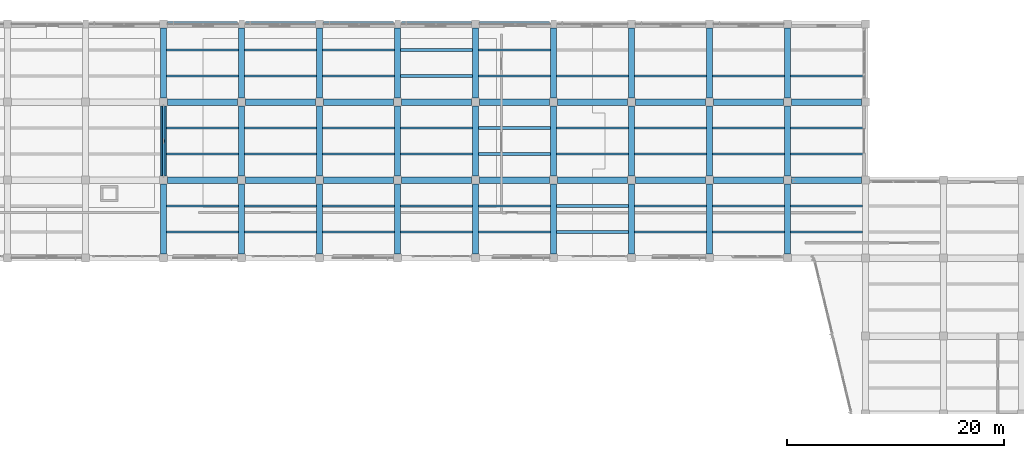
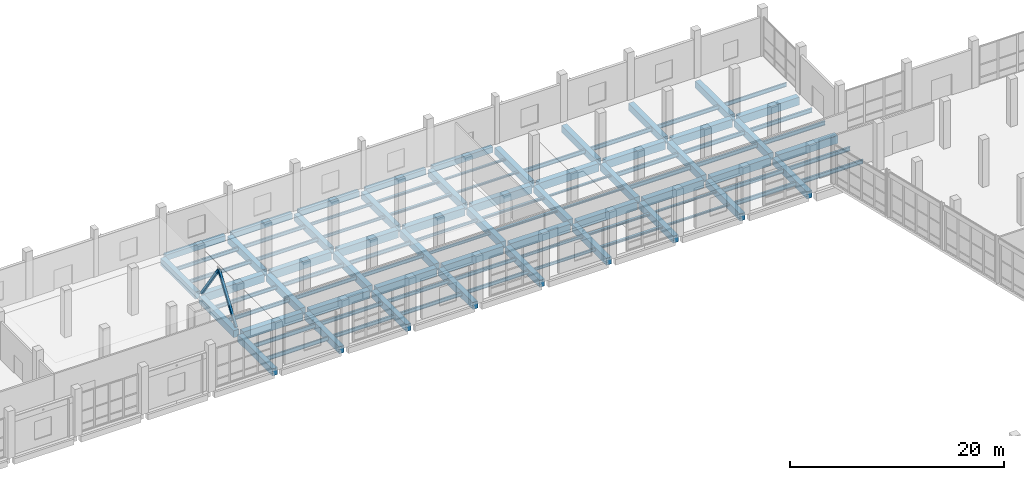
# One storey, part 60 of 137: 100 beams, 2 members.
"""IFC4 building model written with IfcOpenShell, lengths in metres."""

import ifcopenshell
import ifcopenshell.guid

model = None  # the IFC model being written
_history = None  # IfcOwnerHistory: only IFC2X3 demands one
_inside = {}  # id of a spatial element -> (the spatial element, [elements in it])
_under = {}  # id of a project, library or spatial element -> (it, [spatial elements below it])
_declared = {}  # id of a project -> (the project, [libraries it declares])
_typed = {}  # id of a type object -> (the type object, [elements of that type])
_made_of = {}  # id of a material, layer set ... -> (it, [elements and type objects made of it])


def new_model(schema):
    """Start an empty IFC model of exactly this schema.

    Asked for "IFC4X3", IfcOpenShell would pick the latest addendum, in which some entities
    have other attributes; the version numbers below select the first issue.
    IFC2X3 requires an IfcOwnerHistory on every rooted entity: one is made here for all.
    """
    global model, _history
    if schema == "IFC4X3":
        model = ifcopenshell.file(schema_version=(4, 3, 0, 0))
    else:
        model = ifcopenshell.file(schema=schema)
    _inside.clear()
    _under.clear()
    _declared.clear()
    _typed.clear()
    _made_of.clear()
    _history = None
    if model.schema == "IFC2X3":
        org = make("IfcOrganization", Name="unknown")
        user = make(
            "IfcPersonAndOrganization",
            ThePerson=make("IfcPerson", FamilyName="unknown"),
            TheOrganization=org,
        )
        app = make(
            "IfcApplication",
            ApplicationDeveloper=org,
            Version="unknown",
            ApplicationFullName="unknown",
            ApplicationIdentifier="unknown",
        )
        _history = make(
            "IfcOwnerHistory",
            OwningUser=user,
            OwningApplication=app,
            ChangeAction="ADDED",
            CreationDate=0,
        )
    return model


def make(cls, **values):
    """One entity of the class cls with the attributes given. An attribute that is None is left unset."""
    return model.create_entity(
        cls, **{name: value for name, value in values.items() if value is not None}
    )


def rooted(cls, **values):
    """An entity with a GlobalId (a new one), such as an element, a storey or a relation."""
    return make(cls, GlobalId=ifcopenshell.guid.new(), OwnerHistory=_history, **values)


def si_unit(unit_type, name, prefix=None):
    """IfcSIUnit, for example si_unit("LENGTHUNIT", "METRE", prefix="MILLI")."""
    return make("IfcSIUnit", UnitType=unit_type, Prefix=prefix, Name=name)


def assignment(units):
    """IfcUnitAssignment: the units of a project."""
    return None if units is None else make("IfcUnitAssignment", Units=units)


def point(xyz):
    """IfcCartesianPoint."""
    return None if xyz is None else make("IfcCartesianPoint", Coordinates=xyz)


def direction(xyz):
    """IfcDirection."""
    return None if xyz is None else make("IfcDirection", DirectionRatios=xyz)


def frame(location, z_axis=None, x_axis=None):
    """IfcAxis2Placement3D, a coordinate frame: its origin and axes. An axis left out is left unset."""
    return make(
        "IfcAxis2Placement3D",
        Location=point(location),
        Axis=direction(z_axis),
        RefDirection=direction(x_axis),
    )


def frame_2d(location, x_axis=None):
    """IfcAxis2Placement2D, a coordinate frame in the plane: its origin and x axis."""
    return make(
        "IfcAxis2Placement2D", Location=point(location), RefDirection=direction(x_axis)
    )


def origin():
    """The frame at (0, 0, 0) with its axes left unset."""
    return frame((0.0, 0.0, 0.0))


def origin_2d():
    """The frame at (0, 0) in the plane with its x axis left unset."""
    return frame_2d((0.0, 0.0))


def place(relative_to, where):
    """IfcLocalPlacement: puts the frame where relative to a parent placement (None: the world)."""
    return make(
        "IfcLocalPlacement", PlacementRelTo=relative_to, RelativePlacement=where
    )


def context(
    kind, dimensions, precision=None, world=None, true_north=None, identifier=None
):
    """IfcGeometricRepresentationContext, for example the 3D "Model" context."""
    return make(
        "IfcGeometricRepresentationContext",
        ContextIdentifier=identifier,
        ContextType=kind,
        CoordinateSpaceDimension=dimensions,
        Precision=precision,
        WorldCoordinateSystem=world,
        TrueNorth=true_north,
    )


def subcontext(parent, identifier, kind, view, scale=None):
    """IfcGeometricRepresentationSubContext, for example "Body" below "Model"."""
    return make(
        "IfcGeometricRepresentationSubContext",
        ContextIdentifier=identifier,
        ContextType=kind,
        ParentContext=parent,
        TargetScale=scale,
        TargetView=view,
    )


def project(units=None, contexts=None):
    """IfcProject with its units and contexts."""
    return rooted(
        "IfcProject",
        Name="project",
        RepresentationContexts=contexts,
        UnitsInContext=assignment(units),
    )


def spatial(cls, under=None, at=None, **own):
    """A site, building, storey or space (cls), placed at a placement, below another one or the project."""
    s = rooted(cls, ObjectPlacement=at, **own)
    if under is not None:
        _under.setdefault(under.id(), (under, []))[1].append(s)
    return s


def profile(cls, at=None, kind="AREA", **sizes):
    """A parametric profile (cls). Its sizes go by their IFC names, for example OverallWidth=200.0."""
    return make(cls, ProfileType=kind, Position=at, **sizes)


def rectangle(**sizes):
    """IfcRectangleProfileDef."""
    return profile("IfcRectangleProfileDef", **sizes)


def hollow_rectangle(**sizes):
    """IfcRectangleHollowProfileDef."""
    return profile("IfcRectangleHollowProfileDef", **sizes)


def i_section(**sizes):
    """IfcIShapeProfileDef."""
    return profile("IfcIShapeProfileDef", **sizes)


def extrude(swept, where, along, depth):
    """IfcExtrudedAreaSolid: the profile swept, set in the frame where, extruded along a direction by depth."""
    return make(
        "IfcExtrudedAreaSolid",
        SweptArea=swept,
        Position=where,
        ExtrudedDirection=direction(along),
        Depth=depth,
    )


def shape(context_of_items, identifier, shape_type, items):
    """IfcShapeRepresentation: the items that make up one representation, for example the "Body"."""
    return make(
        "IfcShapeRepresentation",
        ContextOfItems=context_of_items,
        RepresentationIdentifier=identifier,
        RepresentationType=shape_type,
        Items=items,
    )


def material(Name=None, Category=None):
    """IfcMaterial."""
    return make("IfcMaterial", Name=Name, Category=Category)


def material_profile(
    of_material, cross_section, Name=None, Category=None, Priority=None
):
    """IfcMaterialProfile: a cross section and its material."""
    return make(
        "IfcMaterialProfile",
        Name=Name,
        Material=of_material,
        Profile=cross_section,
        Priority=Priority,
        Category=Category,
    )


def profile_set(profiles, Name=None, composite=None):
    """IfcMaterialProfileSet."""
    return make(
        "IfcMaterialProfileSet",
        Name=Name,
        MaterialProfiles=profiles,
        CompositeProfile=composite,
    )


def made_of(thing, what):
    """Note that an element or type object is made of a material, layer set ...; save() writes the relation."""
    if what is not None:
        _made_of.setdefault(what.id(), (what, []))[1].append(thing)
    return thing


def type_object(cls, material=None, **own):
    """A type object (cls), such as IfcWallType, which elements share."""
    return made_of(rooted(cls, **own), material)


def element(
    cls,
    number,
    at=None,
    inside=None,
    cuts=None,
    type_object=None,
    material=None,
    context=None,
    identifier="Body",
    shape_type=None,
    held_by="IfcProductDefinitionShape",
    body=None,
    shapes=None,
    **own,
):
    """One element of the class cls, such as IfcWall. Its Tag is "e" and its number.

    at: its placement. inside: the storey or other place that contains it. cuts: it is an
    opening in that element (IfcRelVoidsElement). A single representation is given by context,
    identifier, shape_type and body (its items); several are given by shapes. held_by: the class
    of the entity that holds the representations. save() writes the other relations.
    """
    e = rooted(cls, Tag="e%d" % number, ObjectPlacement=at, **own)
    if body is not None:
        shapes = [shape(context, identifier, shape_type, body)]
    if shapes is not None:
        e.Representation = make(held_by, Representations=shapes)
    if inside is not None:
        _inside.setdefault(inside.id(), (inside, []))[1].append(e)
    if cuts is not None:
        rooted(
            "IfcRelVoidsElement", RelatingBuildingElement=cuts, RelatedOpeningElement=e
        )
    if type_object is not None:
        _typed.setdefault(type_object.id(), (type_object, []))[1].append(e)
    return made_of(e, material)


def aggregate(whole, parts):
    """IfcRelAggregates: a whole, such as a stair, and the parts it consists of."""
    return rooted("IfcRelAggregates", RelatingObject=whole, RelatedObjects=parts)


def save(model, path):
    """Write the relations noted so far, then the file.

    IfcRelAggregates (storeys below a building ...), IfcRelContainedInSpatialStructure (elements
    in a storey), IfcRelDefinesByType, IfcRelAssociatesMaterial and IfcRelDeclares: one each for
    every whole, place, type object, material and project.
    """
    for whole, parts in _under.values():
        aggregate(whole, parts)
    for where, things in _inside.values():
        rooted(
            "IfcRelContainedInSpatialStructure",
            RelatedElements=things,
            RelatingStructure=where,
        )
    for kind, things in _typed.values():
        rooted("IfcRelDefinesByType", RelatedObjects=things, RelatingType=kind)
    for what, things in _made_of.values():
        rooted("IfcRelAssociatesMaterial", RelatedObjects=things, RelatingMaterial=what)
    for by, libraries in _declared.values():
        rooted("IfcRelDeclares", RelatingContext=by, RelatedDefinitions=libraries)
    model.write(path)


model = new_model("IFC4")

# Units and contexts
model_context = context("Model", 3, precision=1e-05, world=origin(), true_north=direction((0.0, 1.0)))
body_context = subcontext(model_context, "Body", "Model", "MODEL_VIEW")
ifc_project = project(units=[si_unit("LENGTHUNIT", "METRE"), si_unit("AREAUNIT", "SQUARE_METRE"), si_unit("VOLUMEUNIT", "CUBIC_METRE"), si_unit("PLANEANGLEUNIT", "RADIAN"), si_unit("MASSUNIT", "GRAM", prefix="KILO")], contexts=[model_context])

# Site, building, storey
site_placement = place(None, origin())
site = spatial("IfcSite", under=ifc_project, at=site_placement, CompositionType="ELEMENT")
building_placement = place(site_placement, origin())
building = spatial("IfcBuilding", under=site, at=building_placement, Name="Kalmorath City Hall", CompositionType="ELEMENT")
storey_placement = place(building_placement, origin())
storey = spatial("IfcBuildingStorey", under=building, at=storey_placement, Name="L00", CompositionType="ELEMENT", Elevation=0.0)

# Beams
ifc_material_1 = material(Name="Concrete C40/50", Category="concrete")
ifc_material_profile_1 = material_profile(ifc_material_1, rectangle(XDim=0.550048828125, YDim=0.800048828125, at=origin_2d()), Name="RC-BM-550X800")
ifc_profile_set_1 = profile_set([ifc_material_profile_1], Name="Concrete C40/50")
beam_type_1 = type_object("IfcBeamType", Name="Concrete floor girder 550x800", PredefinedType="BEAM", material=ifc_profile_set_1)
for number, where, z_axis, x_axis, name in (
    (1, (64.800048828125, 93.97509765625, -0.7041015625), (0.0, 1.0, 0.0), (-1.0, 0.0, 0.0), "L00 girder CB2 Y10/14-15"),
    (2, (64.800048828125, 101.175048828125, -0.7041015625), (0.0, 1.0, 0.0), (-1.0, 0.0, 0.0), "L00 girder CB2 Y10/15-16"),
    (3, (64.800048828125, 108.375, -0.7041015625), (0.0, 1.0, 0.0), (-1.0, 0.0, 0.0), "L00 girder CB2 Y10/16-17"),
    (4, (72.0, 93.97509765625, -0.7041015625), (0.0, 1.0, 0.0), (-1.0, 0.0, 0.0), "L00 girder CB2 Y11/14-15"),
    (5, (72.0, 101.175048828125, -0.7041015625), (0.0, 1.0, 0.0), (-1.0, 0.0, 0.0), "L00 girder CB2 Y11/15-16"),
    (6, (72.0, 108.375, -0.7041015625), (0.0, 1.0, 0.0), (-1.0, 0.0, 0.0), "L00 girder CB2 Y11/16-17"),
    (7, (79.199951171875, 93.97509765625, -0.7041015625), (0.0, 1.0, 0.0), (-1.0, 0.0, 0.0), "L00 girder CB2 Y12/14-15"),
    (8, (79.199951171875, 101.175048828125, -0.7041015625), (0.0, 1.0, 0.0), (-1.0, 0.0, 0.0), "L00 girder CB2 Y12/15-16"),
    (9, (79.199951171875, 108.375, -0.7041015625), (0.0, 1.0, 0.0), (-1.0, 0.0, 0.0), "L00 girder CB2 Y12/16-17"),
    (10, (86.39990234375, 93.97509765625, -0.7041015625), (0.0, 1.0, 0.0), (-1.0, 0.0, 0.0), "L00 girder CB2 Y13/14-15"),
    (11, (86.39990234375, 101.175048828125, -0.7041015625), (0.0, 1.0, 0.0), (-1.0, 0.0, 0.0), "L00 girder CB2 Y13/15-16"),
    (12, (86.39990234375, 108.375, -0.7041015625), (0.0, 1.0, 0.0), (-1.0, 0.0, 0.0), "L00 girder CB2 Y13/16-17"),
    (13, (93.60009765625, 93.97509765625, -0.7041015625), (0.0, 1.0, 0.0), (-1.0, 0.0, 0.0), "L00 girder CB2 Y14/14-15"),
    (14, (93.60009765625, 101.175048828125, -0.7041015625), (0.0, 1.0, 0.0), (-1.0, 0.0, 0.0), "L00 girder CB2 Y14/15-16"),
    (15, (93.60009765625, 108.375, -0.7041015625), (0.0, 1.0, 0.0), (-1.0, 0.0, 0.0), "L00 girder CB2 Y14/16-17"),
    (16, (100.800048828125, 93.97509765625, -0.7041015625), (0.0, 1.0, 0.0), (-1.0, 0.0, 0.0), "L00 girder CB2 Y15/14-15"),
    (17, (100.800048828125, 101.175048828125, -0.7041015625), (0.0, 1.0, 0.0), (-1.0, 0.0, 0.0), "L00 girder CB2 Y15/15-16"),
    (18, (100.800048828125, 108.375, -0.7041015625), (0.0, 1.0, 0.0), (-1.0, 0.0, 0.0), "L00 girder CB2 Y15/16-17"),
    (19, (108.0, 93.97509765625, -0.7041015625), (0.0, 1.0, 0.0), (-1.0, 0.0, 0.0), "L00 girder CB2 Y16/14-15"),
    (20, (108.0, 101.175048828125, -0.7041015625), (0.0, 1.0, 0.0), (-1.0, 0.0, 0.0), "L00 girder CB2 Y16/15-16"),
    (21, (108.0, 108.375, -0.7041015625), (0.0, 1.0, 0.0), (-1.0, 0.0, 0.0), "L00 girder CB2 Y16/16-17"),
    (22, (115.199951171875, 93.97509765625, -0.7041015625), (0.0, 1.0, 0.0), (-1.0, 0.0, 0.0), "L00 girder CB2 Y17/14-15"),
    (23, (115.199951171875, 101.175048828125, -0.7041015625), (0.0, 1.0, 0.0), (-1.0, 0.0, 0.0), "L00 girder CB2 Y17/15-16"),
    (24, (115.199951171875, 108.375, -0.7041015625), (0.0, 1.0, 0.0), (-1.0, 0.0, 0.0), "L00 girder CB2 Y17/16-17"),
    (25, (122.39990234375, 93.97509765625, -0.7041015625), (0.0, 1.0, 0.0), (-1.0, 0.0, 0.0), "L00 girder CB2 Y18/14-15"),
    (26, (122.39990234375, 101.175048828125, -0.7041015625), (0.0, 1.0, 0.0), (-1.0, 0.0, 0.0), "L00 girder CB2 Y18/15-16"),
    (27, (122.39990234375, 108.375, -0.7041015625), (0.0, 1.0, 0.0), (-1.0, 0.0, 0.0), "L00 girder CB2 Y18/16-17"),
):
    element("IfcBeam", number, at=place(storey_placement, frame(where, z_axis=z_axis, x_axis=x_axis)), inside=storey, type_object=beam_type_1, Name=name, PredefinedType="BEAM", context=body_context, shape_type="SweptSolid", body=[
        extrude(rectangle(XDim=0.550048828125, YDim=0.800048828125, at=origin_2d()), origin(), (0.0, 0.0, 1.0), 6.449951171875),
    ])
ifc_material_2 = material(Name="Concrete C40/50", Category="concrete")
ifc_material_profile_2 = material_profile(ifc_material_2, rectangle(XDim=0.60009765625, YDim=0.89990234375, at=origin_2d()), Name="RC-BM-600X900")
ifc_profile_set_2 = profile_set([ifc_material_profile_2], Name="Concrete C40/50")
beam_type_2 = type_object("IfcBeamType", Name="Concrete floor girder 600x900", PredefinedType="BEAM", material=ifc_profile_set_2)
for number, where, z_axis, x_axis, name in (
    (28, (65.175048828125, 100.800048828125, -0.75390625), (1.0, 0.0, 0.0), (0.0, 1.0, 0.0), "L00 girder CB1 X10-11/15"),
    (29, (72.375, 100.800048828125, -0.75390625), (1.0, 0.0, 0.0), (0.0, 1.0, 0.0), "L00 girder CB1 X11-12/15"),
    (30, (79.574951171875, 100.800048828125, -0.75390625), (1.0, 0.0, 0.0), (0.0, 1.0, 0.0), "L00 girder CB1 X12-13/15"),
):
    element("IfcBeam", number, at=place(storey_placement, frame(where, z_axis=z_axis, x_axis=x_axis)), inside=storey, type_object=beam_type_2, Name=name, PredefinedType="BEAM", context=body_context, shape_type="SweptSolid", body=[
        extrude(rectangle(XDim=0.60009765625, YDim=0.89990234375, at=origin_2d()), origin(), (0.0, 0.0, 1.0), 6.449951171875),
    ])
beam_1_placement = place(storey_placement, frame((86.77490234375, 100.800048828125, -0.75390625), z_axis=(1.0, 0.0, 0.0), x_axis=(0.0, 1.0, 0.0)))
element("IfcBeam", 31, at=beam_1_placement, inside=storey, type_object=beam_type_2, Name="L00 girder CB1 X13-14/15", PredefinedType="BEAM", context=body_context, shape_type="SweptSolid", body=[
    extrude(rectangle(XDim=0.60009765625, YDim=0.89990234375, at=origin_2d()), origin(), (0.0, 0.0, 1.0), 6.4501953125),
])
for number, where, z_axis, x_axis, name in (
    (32, (93.97509765625, 100.800048828125, -0.75390625), (1.0, 0.0, 0.0), (0.0, 1.0, 0.0), "L00 girder CB1 X14-15/15"),
    (33, (101.175048828125, 100.800048828125, -0.75390625), (1.0, 0.0, 0.0), (0.0, 1.0, 0.0), "L00 girder CB1 X15-16/15"),
    (34, (108.375, 100.800048828125, -0.75390625), (1.0, 0.0, 0.0), (0.0, 1.0, 0.0), "L00 girder CB1 X16-17/15"),
    (35, (115.574951171875, 100.800048828125, -0.75390625), (1.0, 0.0, 0.0), (0.0, 1.0, 0.0), "L00 girder CB1 X17-18/15"),
):
    element("IfcBeam", number, at=place(storey_placement, frame(where, z_axis=z_axis, x_axis=x_axis)), inside=storey, type_object=beam_type_2, Name=name, PredefinedType="BEAM", context=body_context, shape_type="SweptSolid", body=[
        extrude(rectangle(XDim=0.60009765625, YDim=0.89990234375, at=origin_2d()), origin(), (0.0, 0.0, 1.0), 6.449951171875),
    ])
beam_2_placement = place(storey_placement, frame((122.77490234375, 100.800048828125, -0.75390625), z_axis=(1.0, 0.0, 0.0), x_axis=(0.0, 1.0, 0.0)))
element("IfcBeam", 36, at=beam_2_placement, inside=storey, type_object=beam_type_2, Name="L00 girder CB1 X18-19/15", PredefinedType="BEAM", context=body_context, shape_type="SweptSolid", body=[
    extrude(rectangle(XDim=0.60009765625, YDim=0.89990234375, at=origin_2d()), origin(), (0.0, 0.0, 1.0), 6.4501953125),
])
for number, where, z_axis, x_axis, name in (
    (37, (65.175048828125, 108.0, -0.75390625), (1.0, 0.0, 0.0), (0.0, 1.0, 0.0), "L00 girder CB1 X10-11/16"),
    (38, (72.375, 108.0, -0.75390625), (1.0, 0.0, 0.0), (0.0, 1.0, 0.0), "L00 girder CB1 X11-12/16"),
    (39, (79.574951171875, 108.0, -0.75390625), (1.0, 0.0, 0.0), (0.0, 1.0, 0.0), "L00 girder CB1 X12-13/16"),
):
    element("IfcBeam", number, at=place(storey_placement, frame(where, z_axis=z_axis, x_axis=x_axis)), inside=storey, type_object=beam_type_2, Name=name, PredefinedType="BEAM", context=body_context, shape_type="SweptSolid", body=[
        extrude(rectangle(XDim=0.60009765625, YDim=0.89990234375, at=origin_2d()), origin(), (0.0, 0.0, 1.0), 6.449951171875),
    ])
beam_3_placement = place(storey_placement, frame((86.77490234375, 108.0, -0.75390625), z_axis=(1.0, 0.0, 0.0), x_axis=(0.0, 1.0, 0.0)))
element("IfcBeam", 40, at=beam_3_placement, inside=storey, type_object=beam_type_2, Name="L00 girder CB1 X13-14/16", PredefinedType="BEAM", context=body_context, shape_type="SweptSolid", body=[
    extrude(rectangle(XDim=0.60009765625, YDim=0.89990234375, at=origin_2d()), origin(), (0.0, 0.0, 1.0), 6.4501953125),
])
for number, where, z_axis, x_axis, name in (
    (41, (93.97509765625, 108.0, -0.75390625), (1.0, 0.0, 0.0), (0.0, 1.0, 0.0), "L00 girder CB1 X14-15/16"),
    (42, (101.175048828125, 108.0, -0.75390625), (1.0, 0.0, 0.0), (0.0, 1.0, 0.0), "L00 girder CB1 X15-16/16"),
    (43, (108.375, 108.0, -0.75390625), (1.0, 0.0, 0.0), (0.0, 1.0, 0.0), "L00 girder CB1 X16-17/16"),
    (44, (115.574951171875, 108.0, -0.75390625), (1.0, 0.0, 0.0), (0.0, 1.0, 0.0), "L00 girder CB1 X17-18/16"),
):
    element("IfcBeam", number, at=place(storey_placement, frame(where, z_axis=z_axis, x_axis=x_axis)), inside=storey, type_object=beam_type_2, Name=name, PredefinedType="BEAM", context=body_context, shape_type="SweptSolid", body=[
        extrude(rectangle(XDim=0.60009765625, YDim=0.89990234375, at=origin_2d()), origin(), (0.0, 0.0, 1.0), 6.449951171875),
    ])
beam_4_placement = place(storey_placement, frame((122.77490234375, 108.0, -0.75390625), z_axis=(1.0, 0.0, 0.0), x_axis=(0.0, 1.0, 0.0)))
element("IfcBeam", 45, at=beam_4_placement, inside=storey, type_object=beam_type_2, Name="L00 girder CB1 X18-19/16", PredefinedType="BEAM", context=body_context, shape_type="SweptSolid", body=[
    extrude(rectangle(XDim=0.60009765625, YDim=0.89990234375, at=origin_2d()), origin(), (0.0, 0.0, 1.0), 6.4501953125),
])
ifc_material_3 = material(Name="Concrete C40/50", Category="concrete")
ifc_material_profile_3 = material_profile(ifc_material_3, rectangle(XDim=0.449951171875, YDim=0.64990234375, at=origin_2d()), Name="RC-BM-450X650")
ifc_profile_set_3 = profile_set([ifc_material_profile_3], Name="Concrete C40/50")
beam_type_3 = type_object("IfcBeamType", Name="Concrete spandrel beam 450x650", PredefinedType="SPANDREL", material=ifc_profile_set_3)
for number, where, z_axis, x_axis, name in (
    (46, (65.175048828125, 115.199951171875, -0.62890625), (1.0, 0.0, 0.0), (0.0, 1.0, 0.0), "L00 girder CB5 X10-11/17"),
    (47, (72.375, 115.199951171875, -0.62890625), (1.0, 0.0, 0.0), (0.0, 1.0, 0.0), "L00 girder CB5 X11-12/17"),
    (48, (79.574951171875, 115.199951171875, -0.62890625), (1.0, 0.0, 0.0), (0.0, 1.0, 0.0), "L00 girder CB5 X12-13/17"),
):
    element("IfcBeam", number, at=place(storey_placement, frame(where, z_axis=z_axis, x_axis=x_axis)), inside=storey, type_object=beam_type_3, Name=name, PredefinedType="SPANDREL", context=body_context, shape_type="SweptSolid", body=[
        extrude(rectangle(XDim=0.449951171875, YDim=0.64990234375, at=origin_2d()), origin(), (0.0, 0.0, 1.0), 6.449951171875),
    ])
beam_5_placement = place(storey_placement, frame((86.77490234375, 115.199951171875, -0.62890625), z_axis=(1.0, 0.0, 0.0), x_axis=(0.0, 1.0, 0.0)))
element("IfcBeam", 49, at=beam_5_placement, inside=storey, type_object=beam_type_3, Name="L00 girder CB5 X13-14/17", PredefinedType="SPANDREL", context=body_context, shape_type="SweptSolid", body=[
    extrude(rectangle(XDim=0.449951171875, YDim=0.64990234375, at=origin_2d()), origin(), (0.0, 0.0, 1.0), 6.4501953125),
])
beam_6_placement = place(storey_placement, frame((93.97509765625, 115.199951171875, -0.62890625), z_axis=(1.0, 0.0, 0.0), x_axis=(0.0, 1.0, 0.0)))
element("IfcBeam", 50, at=beam_6_placement, inside=storey, type_object=beam_type_3, Name="L00 girder CB5 X14-15/17", PredefinedType="SPANDREL", context=body_context, shape_type="SweptSolid", body=[
    extrude(rectangle(XDim=0.449951171875, YDim=0.64990234375, at=origin_2d()), origin(), (0.0, 0.0, 1.0), 6.449951171875),
])
ifc_material_4 = material(Name="Steel ASTM A992 Grade 50", Category="steel")
ifc_material_profile_4 = material_profile(ifc_material_4, i_section(OverallWidth=0.177001953125, OverallDepth=0.403076171875, WebThickness=0.007568359375, FlangeThickness=0.010986328125, FilletRadius=0.012939453125, at=origin_2d()), Name="W16X36")
ifc_profile_set_4 = profile_set([ifc_material_profile_4], Name="Steel ASTM A992 Grade 50")
beam_type_4 = type_object("IfcBeamType", Name="Steel composite joist W16X36", PredefinedType="JOIST", material=ifc_profile_set_4)
for number, where, z_axis, x_axis, name in (
    (51, (72.27490234375, 110.39990234375, -0.505615234375), (1.0, 0.0, 0.0), (0.0, 1.0, 0.0), "L00 joist SJ7 11.16.1"),
    (52, (72.27490234375, 112.800048828125, -0.505615234375), (1.0, 0.0, 0.0), (0.0, 1.0, 0.0), "L00 joist SJ7 11.16.2"),
):
    element("IfcBeam", number, at=place(storey_placement, frame(where, z_axis=z_axis, x_axis=x_axis)), inside=storey, type_object=beam_type_4, Name=name, PredefinedType="JOIST", context=body_context, shape_type="SweptSolid", body=[
        extrude(i_section(OverallWidth=0.177001953125, OverallDepth=0.403076171875, WebThickness=0.007568359375, FlangeThickness=0.010986328125, FilletRadius=0.012939453125, at=origin_2d()), origin(), (0.0, 0.0, 1.0), 6.650146484375),
    ])
for number, where, z_axis, x_axis, name in (
    (53, (79.47509765625, 103.199951171875, -0.505615234375), (1.0, 0.0, 0.0), (0.0, 1.0, 0.0), "L00 joist SJ7 12.15.1"),
    (54, (79.47509765625, 105.60009765625, -0.505615234375), (1.0, 0.0, 0.0), (0.0, 1.0, 0.0), "L00 joist SJ7 12.15.2"),
    (55, (86.675048828125, 96.0, -0.505615234375), (1.0, 0.0, 0.0), (0.0, 1.0, 0.0), "L00 joist SJ7 13.14.1"),
    (56, (86.675048828125, 98.39990234375, -0.505615234375), (1.0, 0.0, 0.0), (0.0, 1.0, 0.0), "L00 joist SJ7 13.14.2"),
):
    element("IfcBeam", number, at=place(storey_placement, frame(where, z_axis=z_axis, x_axis=x_axis)), inside=storey, type_object=beam_type_4, Name=name, PredefinedType="JOIST", context=body_context, shape_type="SweptSolid", body=[
        extrude(i_section(OverallWidth=0.177001953125, OverallDepth=0.403076171875, WebThickness=0.007568359375, FlangeThickness=0.010986328125, FilletRadius=0.012939453125, at=origin_2d()), origin(), (0.0, 0.0, 1.0), 6.64990234375),
    ])
ifc_material_5 = material(Name="Steel ASTM A992 Grade 50", Category="steel")
ifc_material_profile_5 = material_profile(ifc_material_5, i_section(OverallWidth=0.178955078125, OverallDepth=0.409912109375, WebThickness=0.0087890625, FlangeThickness=0.014404296875, FilletRadius=0.012939453125, at=origin_2d()), Name="W16X45")
ifc_profile_set_5 = profile_set([ifc_material_profile_5], Name="Steel ASTM A992 Grade 50")
beam_type_5 = type_object("IfcBeamType", Name="Steel composite joist W16X45", PredefinedType="JOIST", material=ifc_profile_set_5)
for number, where, z_axis, x_axis, name in (
    (57, (65.074951171875, 110.39990234375, -0.509033203125), (1.0, 0.0, 0.0), (0.0, 1.0, 0.0), "L00 joist SJ6 10.16.1"),
    (58, (65.074951171875, 112.800048828125, -0.509033203125), (1.0, 0.0, 0.0), (0.0, 1.0, 0.0), "L00 joist SJ6 10.16.2"),
    (59, (72.27490234375, 103.199951171875, -0.509033203125), (1.0, 0.0, 0.0), (0.0, 1.0, 0.0), "L00 joist SJ6 11.15.1"),
    (60, (72.27490234375, 105.60009765625, -0.509033203125), (1.0, 0.0, 0.0), (0.0, 1.0, 0.0), "L00 joist SJ6 11.15.2"),
):
    element("IfcBeam", number, at=place(storey_placement, frame(where, z_axis=z_axis, x_axis=x_axis)), inside=storey, type_object=beam_type_5, Name=name, PredefinedType="JOIST", context=body_context, shape_type="SweptSolid", body=[
        extrude(i_section(OverallWidth=0.178955078125, OverallDepth=0.409912109375, WebThickness=0.0087890625, FlangeThickness=0.014404296875, FilletRadius=0.012939453125, at=origin_2d()), origin(), (0.0, 0.0, 1.0), 6.650146484375),
    ])
for number, where, z_axis, x_axis, name in (
    (61, (79.47509765625, 96.0, -0.509033203125), (1.0, 0.0, 0.0), (0.0, 1.0, 0.0), "L00 joist SJ6 12.14.1"),
    (62, (79.47509765625, 98.39990234375, -0.509033203125), (1.0, 0.0, 0.0), (0.0, 1.0, 0.0), "L00 joist SJ6 12.14.2"),
):
    element("IfcBeam", number, at=place(storey_placement, frame(where, z_axis=z_axis, x_axis=x_axis)), inside=storey, type_object=beam_type_5, Name=name, PredefinedType="JOIST", context=body_context, shape_type="SweptSolid", body=[
        extrude(i_section(OverallWidth=0.178955078125, OverallDepth=0.409912109375, WebThickness=0.0087890625, FlangeThickness=0.014404296875, FilletRadius=0.012939453125, at=origin_2d()), origin(), (0.0, 0.0, 1.0), 6.64990234375),
    ])
ifc_material_6 = material(Name="Steel ASTM A992 Grade 50", Category="steel")
ifc_material_profile_6 = material_profile(ifc_material_6, i_section(OverallWidth=0.180908203125, OverallDepth=0.4169921875, WebThickness=0.010986328125, FlangeThickness=0.018310546875, FilletRadius=0.012939453125, at=origin_2d()), Name="W16X57")
ifc_profile_set_6 = profile_set([ifc_material_profile_6], Name="Steel ASTM A992 Grade 50")
beam_type_6 = type_object("IfcBeamType", Name="Steel composite joist W16X57", PredefinedType="JOIST", material=ifc_profile_set_6)
for number, where, z_axis, x_axis, name in (
    (63, (65.074951171875, 103.199951171875, -0.512451171875), (1.0, 0.0, 0.0), (0.0, 1.0, 0.0), "L00 joist SJ5 10.15.1"),
    (64, (65.074951171875, 105.60009765625, -0.512451171875), (1.0, 0.0, 0.0), (0.0, 1.0, 0.0), "L00 joist SJ5 10.15.2"),
    (65, (72.27490234375, 96.0, -0.512451171875), (1.0, 0.0, 0.0), (0.0, 1.0, 0.0), "L00 joist SJ5 11.14.1"),
    (66, (72.27490234375, 98.39990234375, -0.512451171875), (1.0, 0.0, 0.0), (0.0, 1.0, 0.0), "L00 joist SJ5 11.14.2"),
):
    element("IfcBeam", number, at=place(storey_placement, frame(where, z_axis=z_axis, x_axis=x_axis)), inside=storey, type_object=beam_type_6, Name=name, PredefinedType="JOIST", context=body_context, shape_type="SweptSolid", body=[
        extrude(i_section(OverallWidth=0.180908203125, OverallDepth=0.4169921875, WebThickness=0.010986328125, FlangeThickness=0.018310546875, FilletRadius=0.012939453125, at=origin_2d()), origin(), (0.0, 0.0, 1.0), 6.650146484375),
    ])
ifc_material_7 = material(Name="Steel ASTM A992 Grade 50", Category="steel")
ifc_material_profile_7 = material_profile(ifc_material_7, i_section(OverallWidth=0.153076171875, OverallDepth=0.455078125, WebThickness=0.008056640625, FlangeThickness=0.01318359375, FilletRadius=0.013916015625, at=origin_2d()), Name="W18X40")
ifc_profile_set_7 = profile_set([ifc_material_profile_7], Name="Steel ASTM A992 Grade 50")
beam_type_7 = type_object("IfcBeamType", Name="Steel composite joist W18X40", PredefinedType="JOIST", material=ifc_profile_set_7)
for number, where, z_axis, x_axis, name in (
    (67, (65.074951171875, 96.0, -0.531494140625), (1.0, 0.0, 0.0), (0.0, 1.0, 0.0), "L00 joist SJ4 10.14.1"),
    (68, (65.074951171875, 98.39990234375, -0.531494140625), (1.0, 0.0, 0.0), (0.0, 1.0, 0.0), "L00 joist SJ4 10.14.2"),
):
    element("IfcBeam", number, at=place(storey_placement, frame(where, z_axis=z_axis, x_axis=x_axis)), inside=storey, type_object=beam_type_7, Name=name, PredefinedType="JOIST", context=body_context, shape_type="SweptSolid", body=[
        extrude(i_section(OverallWidth=0.153076171875, OverallDepth=0.455078125, WebThickness=0.008056640625, FlangeThickness=0.01318359375, FilletRadius=0.013916015625, at=origin_2d()), origin(), (0.0, 0.0, 1.0), 6.650146484375),
    ])
beam_7_placement = place(storey_placement, frame((122.675048828125, 110.39990234375, -0.531494140625), z_axis=(1.0, 0.0, 0.0), x_axis=(0.0, 1.0, 0.0)))
element("IfcBeam", 69, at=beam_7_placement, inside=storey, type_object=beam_type_7, Name="L00 joist SJ4 18.16.1", PredefinedType="JOIST", context=body_context, shape_type="SweptSolid", body=[
    extrude(i_section(OverallWidth=0.153076171875, OverallDepth=0.455078125, WebThickness=0.008056640625, FlangeThickness=0.01318359375, FilletRadius=0.013916015625, at=origin_2d()), origin(), (0.0, 0.0, 1.0), 6.724853515625),
])
ifc_material_8 = material(Name="Steel ASTM A992 Grade 50", Category="steel")
ifc_material_profile_8 = material_profile(ifc_material_8, i_section(OverallWidth=0.19091796875, OverallDepth=0.45703125, WebThickness=0.009033203125, FlangeThickness=0.014404296875, FilletRadius=0.013916015625, at=origin_2d()), Name="W18X50")
ifc_profile_set_8 = profile_set([ifc_material_profile_8], Name="Steel ASTM A992 Grade 50")
beam_type_8 = type_object("IfcBeamType", Name="Steel composite joist W18X50", PredefinedType="JOIST", material=ifc_profile_set_8)
beam_8_placement = place(storey_placement, frame((115.47509765625, 110.39990234375, -0.532470703125), z_axis=(1.0, 0.0, 0.0), x_axis=(0.0, 1.0, 0.0)))
element("IfcBeam", 70, at=beam_8_placement, inside=storey, type_object=beam_type_8, Name="L00 joist SJ3 17.16.1", PredefinedType="JOIST", context=body_context, shape_type="SweptSolid", body=[
    extrude(i_section(OverallWidth=0.19091796875, OverallDepth=0.45703125, WebThickness=0.009033203125, FlangeThickness=0.014404296875, FilletRadius=0.013916015625, at=origin_2d()), origin(), (0.0, 0.0, 1.0), 6.64990234375),
])
for number, where, z_axis, x_axis, name in (
    (71, (122.675048828125, 103.199951171875, -0.532470703125), (1.0, 0.0, 0.0), (0.0, 1.0, 0.0), "L00 joist SJ3 18.15.1"),
    (72, (122.675048828125, 105.60009765625, -0.532470703125), (1.0, 0.0, 0.0), (0.0, 1.0, 0.0), "L00 joist SJ3 18.15.2"),
):
    element("IfcBeam", number, at=place(storey_placement, frame(where, z_axis=z_axis, x_axis=x_axis)), inside=storey, type_object=beam_type_8, Name=name, PredefinedType="JOIST", context=body_context, shape_type="SweptSolid", body=[
        extrude(i_section(OverallWidth=0.19091796875, OverallDepth=0.45703125, WebThickness=0.009033203125, FlangeThickness=0.014404296875, FilletRadius=0.013916015625, at=origin_2d()), origin(), (0.0, 0.0, 1.0), 6.724853515625),
    ])
ifc_material_9 = material(Name="Steel ASTM A992 Grade 50", Category="steel")
ifc_material_profile_9 = material_profile(ifc_material_9, i_section(OverallWidth=0.19091796875, OverallDepth=0.4599609375, WebThickness=0.010009765625, FlangeThickness=0.01611328125, FilletRadius=0.013916015625, at=origin_2d()), Name="W18X55")
ifc_profile_set_9 = profile_set([ifc_material_profile_9], Name="Steel ASTM A992 Grade 50")
beam_type_9 = type_object("IfcBeamType", Name="Steel composite joist W18X55", PredefinedType="JOIST", material=ifc_profile_set_9)
beam_9_placement = place(storey_placement, frame((108.27490234375, 110.39990234375, -0.533935546875), z_axis=(1.0, 0.0, 0.0), x_axis=(0.0, 1.0, 0.0)))
element("IfcBeam", 73, at=beam_9_placement, inside=storey, type_object=beam_type_9, Name="L00 joist SJ2 16.16.1", PredefinedType="JOIST", context=body_context, shape_type="SweptSolid", body=[
    extrude(i_section(OverallWidth=0.19091796875, OverallDepth=0.4599609375, WebThickness=0.010009765625, FlangeThickness=0.01611328125, FilletRadius=0.013916015625, at=origin_2d()), origin(), (0.0, 0.0, 1.0), 6.650146484375),
])
for number, where, z_axis, x_axis, name in (
    (74, (115.47509765625, 103.199951171875, -0.533935546875), (1.0, 0.0, 0.0), (0.0, 1.0, 0.0), "L00 joist SJ2 17.15.1"),
    (75, (115.47509765625, 105.60009765625, -0.533935546875), (1.0, 0.0, 0.0), (0.0, 1.0, 0.0), "L00 joist SJ2 17.15.2"),
    (76, (122.675048828125, 96.0, -0.533935546875), (1.0, 0.0, 0.0), (0.0, 1.0, 0.0), "L00 joist SJ2 18.14.1"),
    (77, (122.675048828125, 98.39990234375, -0.533935546875), (1.0, 0.0, 0.0), (0.0, 1.0, 0.0), "L00 joist SJ2 18.14.2"),
):
    element("IfcBeam", number, at=place(storey_placement, frame(where, z_axis=z_axis, x_axis=x_axis)), inside=storey, type_object=beam_type_9, Name=name, PredefinedType="JOIST", context=body_context, shape_type="SweptSolid", body=[
        extrude(i_section(OverallWidth=0.19091796875, OverallDepth=0.4599609375, WebThickness=0.010009765625, FlangeThickness=0.01611328125, FilletRadius=0.013916015625, at=origin_2d()), origin(), (0.0, 0.0, 1.0), 6.64990234375),
    ])
ifc_material_10 = material(Name="Steel ASTM A992 Grade 50", Category="steel")
ifc_material_profile_10 = material_profile(ifc_material_10, i_section(OverallWidth=0.193115234375, OverallDepth=0.466064453125, WebThickness=0.011474609375, FlangeThickness=0.01904296875, FilletRadius=0.013916015625, at=origin_2d()), Name="W18X65")
ifc_profile_set_10 = profile_set([ifc_material_profile_10], Name="Steel ASTM A992 Grade 50")
beam_type_10 = type_object("IfcBeamType", Name="Steel composite joist W18X65", PredefinedType="JOIST", material=ifc_profile_set_10)
for number, where, z_axis, x_axis, name in (
    (78, (101.074951171875, 110.39990234375, -0.537109375), (1.0, 0.0, 0.0), (0.0, 1.0, 0.0), "L00 joist SJ1 15.16.1"),
    (79, (108.27490234375, 103.199951171875, -0.537109375), (1.0, 0.0, 0.0), (0.0, 1.0, 0.0), "L00 joist SJ1 16.15.1"),
    (80, (108.27490234375, 105.60009765625, -0.537109375), (1.0, 0.0, 0.0), (0.0, 1.0, 0.0), "L00 joist SJ1 16.15.2"),
):
    element("IfcBeam", number, at=place(storey_placement, frame(where, z_axis=z_axis, x_axis=x_axis)), inside=storey, type_object=beam_type_10, Name=name, PredefinedType="JOIST", context=body_context, shape_type="SweptSolid", body=[
        extrude(i_section(OverallWidth=0.193115234375, OverallDepth=0.466064453125, WebThickness=0.011474609375, FlangeThickness=0.01904296875, FilletRadius=0.013916015625, at=origin_2d()), origin(), (0.0, 0.0, 1.0), 6.650146484375),
    ])
for number, where, z_axis, x_axis, name in (
    (81, (115.47509765625, 96.0, -0.537109375), (1.0, 0.0, 0.0), (0.0, 1.0, 0.0), "L00 joist SJ1 17.14.1"),
    (82, (115.47509765625, 98.39990234375, -0.537109375), (1.0, 0.0, 0.0), (0.0, 1.0, 0.0), "L00 joist SJ1 17.14.2"),
):
    element("IfcBeam", number, at=place(storey_placement, frame(where, z_axis=z_axis, x_axis=x_axis)), inside=storey, type_object=beam_type_10, Name=name, PredefinedType="JOIST", context=body_context, shape_type="SweptSolid", body=[
        extrude(i_section(OverallWidth=0.193115234375, OverallDepth=0.466064453125, WebThickness=0.011474609375, FlangeThickness=0.01904296875, FilletRadius=0.013916015625, at=origin_2d()), origin(), (0.0, 0.0, 1.0), 6.64990234375),
    ])
ifc_material_11 = material(Name="Steel ASTM A992 Grade 50", Category="steel")
ifc_material_profile_11 = material_profile(ifc_material_11, i_section(OverallWidth=0.202880859375, OverallDepth=0.202880859375, WebThickness=0.007080078125, FlangeThickness=0.010986328125, FilletRadius=0.010986328125, at=origin_2d()), Name="W8X31")
ifc_profile_set_11 = profile_set([ifc_material_profile_11], Name="Steel ASTM A992 Grade 50")
beam_type_11 = type_object("IfcBeamType", Name="Steel edge trimmer W8X31", PredefinedType="LINTEL", material=ifc_profile_set_11)
for number, where, z_axis, x_axis, name in (
    (83, (93.875, 110.39990234375, -0.405517578125), (1.0, 0.0, 0.0), (0.0, 1.0, 0.0), "L00 joist SJ16 14.16.1"),
    (84, (93.875, 112.800048828125, -0.405517578125), (1.0, 0.0, 0.0), (0.0, 1.0, 0.0), "L00 joist SJ16 14.16.2"),
):
    element("IfcBeam", number, at=place(storey_placement, frame(where, z_axis=z_axis, x_axis=x_axis)), inside=storey, type_object=beam_type_11, Name=name, PredefinedType="LINTEL", context=body_context, shape_type="SweptSolid", body=[
        extrude(i_section(OverallWidth=0.202880859375, OverallDepth=0.202880859375, WebThickness=0.007080078125, FlangeThickness=0.010986328125, FilletRadius=0.010986328125, at=origin_2d()), origin(), (0.0, 0.0, 1.0), 6.64990234375),
    ])
for number, where, z_axis, x_axis, name in (
    (85, (101.074951171875, 103.199951171875, -0.405517578125), (1.0, 0.0, 0.0), (0.0, 1.0, 0.0), "L00 joist SJ16 15.15.1"),
    (86, (101.074951171875, 105.60009765625, -0.405517578125), (1.0, 0.0, 0.0), (0.0, 1.0, 0.0), "L00 joist SJ16 15.15.2"),
    (87, (108.27490234375, 96.0, -0.405517578125), (1.0, 0.0, 0.0), (0.0, 1.0, 0.0), "L00 joist SJ16 16.14.1"),
    (88, (108.27490234375, 98.39990234375, -0.405517578125), (1.0, 0.0, 0.0), (0.0, 1.0, 0.0), "L00 joist SJ16 16.14.2"),
):
    element("IfcBeam", number, at=place(storey_placement, frame(where, z_axis=z_axis, x_axis=x_axis)), inside=storey, type_object=beam_type_11, Name=name, PredefinedType="LINTEL", context=body_context, shape_type="SweptSolid", body=[
        extrude(i_section(OverallWidth=0.202880859375, OverallDepth=0.202880859375, WebThickness=0.007080078125, FlangeThickness=0.010986328125, FilletRadius=0.010986328125, at=origin_2d()), origin(), (0.0, 0.0, 1.0), 6.650146484375),
    ])
ifc_material_12 = material(Name="Steel ASTM A992 Grade 50", Category="steel")
ifc_material_profile_12 = material_profile(ifc_material_12, i_section(OverallWidth=0.1669921875, OverallDepth=0.318115234375, WebThickness=0.007568359375, FlangeThickness=0.01318359375, FilletRadius=0.012939453125, at=origin_2d()), Name="W12X35")
ifc_profile_set_12 = profile_set([ifc_material_profile_12], Name="Steel ASTM A992 Grade 50")
beam_type_12 = type_object("IfcBeamType", Name="Steel header lintel W12X35", PredefinedType="LINTEL", material=ifc_profile_set_12)
for number, where, z_axis, x_axis, name in (
    (89, (79.47509765625, 110.39990234375, -0.462890625), (1.0, 0.0, 0.0), (0.0, 1.0, 0.0), "L00 joist SJ13 12.16.1"),
    (90, (79.47509765625, 112.800048828125, -0.462890625), (1.0, 0.0, 0.0), (0.0, 1.0, 0.0), "L00 joist SJ13 12.16.2"),
    (91, (86.675048828125, 103.199951171875, -0.462890625), (1.0, 0.0, 0.0), (0.0, 1.0, 0.0), "L00 joist SJ13 13.15.1"),
    (92, (86.675048828125, 105.60009765625, -0.462890625), (1.0, 0.0, 0.0), (0.0, 1.0, 0.0), "L00 joist SJ13 13.15.2"),
    (93, (93.875, 96.0, -0.462890625), (1.0, 0.0, 0.0), (0.0, 1.0, 0.0), "L00 joist SJ13 14.14.1"),
    (94, (93.875, 98.39990234375, -0.462890625), (1.0, 0.0, 0.0), (0.0, 1.0, 0.0), "L00 joist SJ13 14.14.2"),
):
    element("IfcBeam", number, at=place(storey_placement, frame(where, z_axis=z_axis, x_axis=x_axis)), inside=storey, type_object=beam_type_12, Name=name, PredefinedType="LINTEL", context=body_context, shape_type="SweptSolid", body=[
        extrude(i_section(OverallWidth=0.1669921875, OverallDepth=0.318115234375, WebThickness=0.007568359375, FlangeThickness=0.01318359375, FilletRadius=0.012939453125, at=origin_2d()), origin(), (0.0, 0.0, 1.0), 6.64990234375),
    ])

# Members
ifc_material_13 = material(Name="Steel ASTM A500 Grade C", Category="steel")
ifc_material_profile_13 = material_profile(ifc_material_13, hollow_rectangle(XDim=0.25390625, YDim=0.25390625, WallThickness=0.01171875, InnerFilletRadius=0.01171875, OuterFilletRadius=0.023681640625, at=origin_2d()), Name="HSS254X254X12.7")
ifc_profile_set_13 = profile_set([ifc_material_profile_13], Name="Steel ASTM A500 Grade C")
member_type = type_object("IfcMemberType", Name="Steel seismic chevron brace HSS254X254X12.7", PredefinedType="BRACE", material=ifc_profile_set_13)
member_1_placement = place(storey_placement, frame((64.800048828125, 101.175048828125, 0.0), z_axis=(0.0, 0.572362551953, 0.820000676293), x_axis=(-1.0, 0.0, 0.0)))
element("IfcMember", 95, at=member_1_placement, inside=storey, type_object=member_type, Name="L00 chevron brace BR1 4A", PredefinedType="BRACE", context=body_context, shape_type="SweptSolid", body=[
    extrude(hollow_rectangle(XDim=0.25390625, YDim=0.25390625, WallThickness=0.01171875, InnerFilletRadius=0.01171875, OuterFilletRadius=0.023681640625, at=origin_2d()), origin(), (0.0, 0.0, 1.0), 5.63427734375),
])
member_2_placement = place(storey_placement, frame((64.800048828125, 107.625, 0.0), z_axis=(0.0, -0.572391686853, 0.819980339289), x_axis=(1.0, 0.0, 0.0)))
element("IfcMember", 96, at=member_2_placement, inside=storey, type_object=member_type, Name="L00 chevron brace BR1 4B", PredefinedType="BRACE", context=body_context, shape_type="SweptSolid", body=[
    extrude(hollow_rectangle(XDim=0.25390625, YDim=0.25390625, WallThickness=0.01171875, InnerFilletRadius=0.01171875, OuterFilletRadius=0.023681640625, at=origin_2d()), origin(), (0.0, 0.0, 1.0), 5.634521484375),
])

# Beams
ifc_material_14 = material(Name="Steel ASTM A992 Grade 50", Category="steel")
ifc_material_profile_14 = material_profile(ifc_material_14, i_section(OverallWidth=0.25390625, OverallDepth=0.2529296875, WebThickness=0.008544921875, FlangeThickness=0.01416015625, FilletRadius=0.011962890625, at=origin_2d()), Name="W10X49")
ifc_profile_set_14 = profile_set([ifc_material_profile_14], Name="Steel ASTM A992 Grade 50")
beam_type_13 = type_object("IfcBeamType", Name="Steel trimmer beam W10X49", PredefinedType="BEAM", material=ifc_profile_set_14)
for number, where, z_axis, x_axis, name in (
    (97, (86.675048828125, 110.39990234375, -0.430419921875), (1.0, 0.0, 0.0), (0.0, 1.0, 0.0), "L00 joist SJ14 13.16.1"),
    (98, (86.675048828125, 112.800048828125, -0.430419921875), (1.0, 0.0, 0.0), (0.0, 1.0, 0.0), "L00 joist SJ14 13.16.2"),
    (99, (93.875, 103.199951171875, -0.430419921875), (1.0, 0.0, 0.0), (0.0, 1.0, 0.0), "L00 joist SJ14 14.15.1"),
    (100, (93.875, 105.60009765625, -0.430419921875), (1.0, 0.0, 0.0), (0.0, 1.0, 0.0), "L00 joist SJ14 14.15.2"),
):
    element("IfcBeam", number, at=place(storey_placement, frame(where, z_axis=z_axis, x_axis=x_axis)), inside=storey, type_object=beam_type_13, Name=name, PredefinedType="BEAM", context=body_context, shape_type="SweptSolid", body=[
        extrude(i_section(OverallWidth=0.25390625, OverallDepth=0.2529296875, WebThickness=0.008544921875, FlangeThickness=0.01416015625, FilletRadius=0.011962890625, at=origin_2d()), origin(), (0.0, 0.0, 1.0), 6.64990234375),
    ])
for number, where, z_axis, x_axis, name in (
    (101, (101.074951171875, 96.0, -0.430419921875), (1.0, 0.0, 0.0), (0.0, 1.0, 0.0), "L00 joist SJ14 15.14.1"),
    (102, (101.074951171875, 98.39990234375, -0.430419921875), (1.0, 0.0, 0.0), (0.0, 1.0, 0.0), "L00 joist SJ14 15.14.2"),
):
    element("IfcBeam", number, at=place(storey_placement, frame(where, z_axis=z_axis, x_axis=x_axis)), inside=storey, type_object=beam_type_13, Name=name, PredefinedType="BEAM", context=body_context, shape_type="SweptSolid", body=[
        extrude(i_section(OverallWidth=0.25390625, OverallDepth=0.2529296875, WebThickness=0.008544921875, FlangeThickness=0.01416015625, FilletRadius=0.011962890625, at=origin_2d()), origin(), (0.0, 0.0, 1.0), 6.650146484375),
    ])

save(model, "model.ifc")
